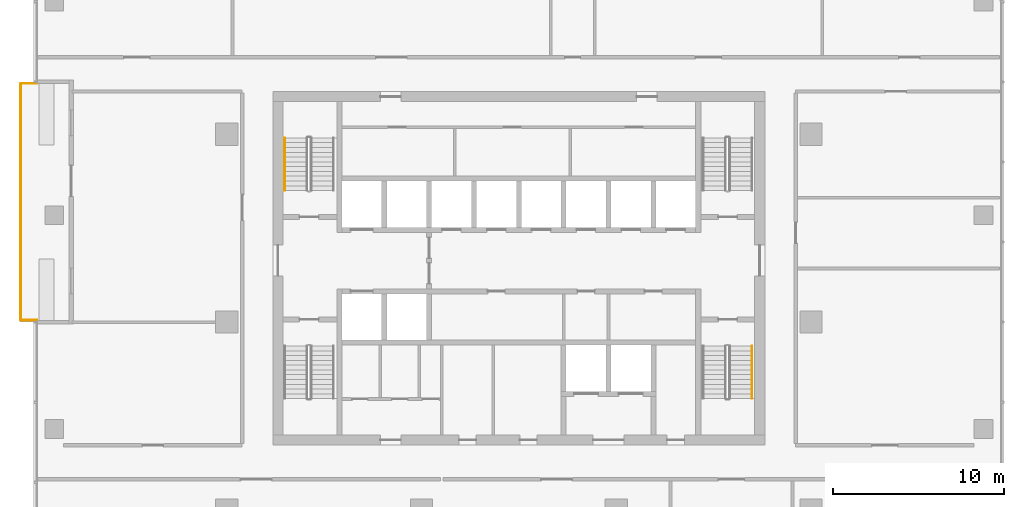
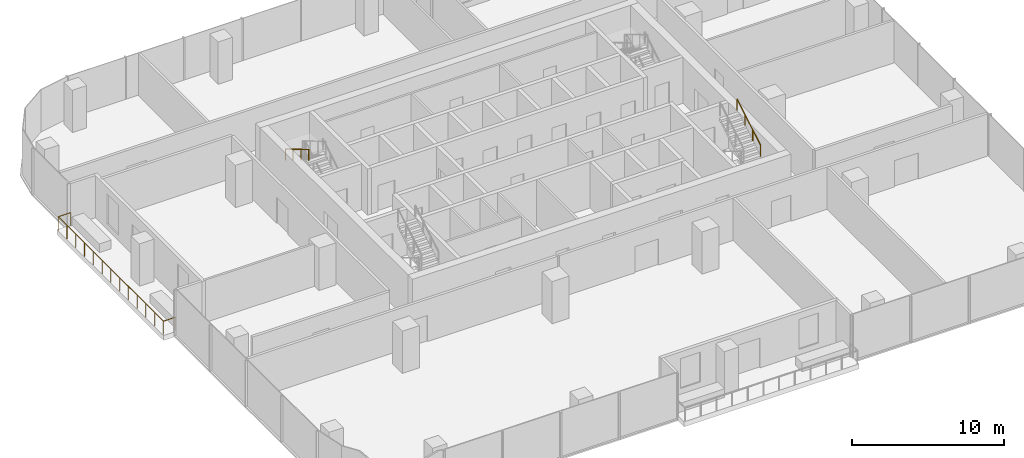
# One storey, part 12 of 14: 3 railings.
"""IFC4 building model written with IfcOpenShell, lengths in metres."""

import ifcopenshell
import ifcopenshell.guid

model = None  # the IFC model being written
_history = None  # IfcOwnerHistory: only IFC2X3 demands one
_inside = {}  # id of a spatial element -> (the spatial element, [elements in it])
_under = {}  # id of a project, library or spatial element -> (it, [spatial elements below it])
_declared = {}  # id of a project -> (the project, [libraries it declares])
_typed = {}  # id of a type object -> (the type object, [elements of that type])
_made_of = {}  # id of a material, layer set ... -> (it, [elements and type objects made of it])


def new_model(schema):
    """Start an empty IFC model of exactly this schema.

    Asked for "IFC4X3", IfcOpenShell would pick the latest addendum, in which some entities
    have other attributes; the version numbers below select the first issue.
    IFC2X3 requires an IfcOwnerHistory on every rooted entity: one is made here for all.
    """
    global model, _history
    if schema == "IFC4X3":
        model = ifcopenshell.file(schema_version=(4, 3, 0, 0))
    else:
        model = ifcopenshell.file(schema=schema)
    _inside.clear()
    _under.clear()
    _declared.clear()
    _typed.clear()
    _made_of.clear()
    _history = None
    if model.schema == "IFC2X3":
        org = make("IfcOrganization", Name="unknown")
        user = make(
            "IfcPersonAndOrganization",
            ThePerson=make("IfcPerson", FamilyName="unknown"),
            TheOrganization=org,
        )
        app = make(
            "IfcApplication",
            ApplicationDeveloper=org,
            Version="unknown",
            ApplicationFullName="unknown",
            ApplicationIdentifier="unknown",
        )
        _history = make(
            "IfcOwnerHistory",
            OwningUser=user,
            OwningApplication=app,
            ChangeAction="ADDED",
            CreationDate=0,
        )
    return model


def make(cls, **values):
    """One entity of the class cls with the attributes given. An attribute that is None is left unset."""
    return model.create_entity(
        cls, **{name: value for name, value in values.items() if value is not None}
    )


def rooted(cls, **values):
    """An entity with a GlobalId (a new one), such as an element, a storey or a relation."""
    return make(cls, GlobalId=ifcopenshell.guid.new(), OwnerHistory=_history, **values)


def si_unit(unit_type, name, prefix=None):
    """IfcSIUnit, for example si_unit("LENGTHUNIT", "METRE", prefix="MILLI")."""
    return make("IfcSIUnit", UnitType=unit_type, Prefix=prefix, Name=name)


def assignment(units):
    """IfcUnitAssignment: the units of a project."""
    return None if units is None else make("IfcUnitAssignment", Units=units)


def point(xyz):
    """IfcCartesianPoint."""
    return None if xyz is None else make("IfcCartesianPoint", Coordinates=xyz)


def direction(xyz):
    """IfcDirection."""
    return None if xyz is None else make("IfcDirection", DirectionRatios=xyz)


def frame(location, z_axis=None, x_axis=None):
    """IfcAxis2Placement3D, a coordinate frame: its origin and axes. An axis left out is left unset."""
    return make(
        "IfcAxis2Placement3D",
        Location=point(location),
        Axis=direction(z_axis),
        RefDirection=direction(x_axis),
    )


def frame_2d(location, x_axis=None):
    """IfcAxis2Placement2D, a coordinate frame in the plane: its origin and x axis."""
    return make(
        "IfcAxis2Placement2D", Location=point(location), RefDirection=direction(x_axis)
    )


def origin():
    """The frame at (0, 0, 0) with its axes left unset."""
    return frame((0.0, 0.0, 0.0))


def origin_2d():
    """The frame at (0, 0) in the plane with its x axis left unset."""
    return frame_2d((0.0, 0.0))


def place(relative_to, where):
    """IfcLocalPlacement: puts the frame where relative to a parent placement (None: the world)."""
    return make(
        "IfcLocalPlacement", PlacementRelTo=relative_to, RelativePlacement=where
    )


def context(
    kind, dimensions, precision=None, world=None, true_north=None, identifier=None
):
    """IfcGeometricRepresentationContext, for example the 3D "Model" context."""
    return make(
        "IfcGeometricRepresentationContext",
        ContextIdentifier=identifier,
        ContextType=kind,
        CoordinateSpaceDimension=dimensions,
        Precision=precision,
        WorldCoordinateSystem=world,
        TrueNorth=true_north,
    )


def subcontext(parent, identifier, kind, view, scale=None):
    """IfcGeometricRepresentationSubContext, for example "Body" below "Model"."""
    return make(
        "IfcGeometricRepresentationSubContext",
        ContextIdentifier=identifier,
        ContextType=kind,
        ParentContext=parent,
        TargetScale=scale,
        TargetView=view,
    )


def project(units=None, contexts=None):
    """IfcProject with its units and contexts."""
    return rooted(
        "IfcProject",
        Name="project",
        RepresentationContexts=contexts,
        UnitsInContext=assignment(units),
    )


def spatial(cls, under=None, at=None, **own):
    """A site, building, storey or space (cls), placed at a placement, below another one or the project."""
    s = rooted(cls, ObjectPlacement=at, **own)
    if under is not None:
        _under.setdefault(under.id(), (under, []))[1].append(s)
    return s


def profile(cls, at=None, kind="AREA", **sizes):
    """A parametric profile (cls). Its sizes go by their IFC names, for example OverallWidth=200.0."""
    return make(cls, ProfileType=kind, Position=at, **sizes)


def circle(**sizes):
    """IfcCircleProfileDef."""
    return profile("IfcCircleProfileDef", **sizes)


def extrude(swept, where, along, depth):
    """IfcExtrudedAreaSolid: the profile swept, set in the frame where, extruded along a direction by depth."""
    return make(
        "IfcExtrudedAreaSolid",
        SweptArea=swept,
        Position=where,
        ExtrudedDirection=direction(along),
        Depth=depth,
    )


def shape(context_of_items, identifier, shape_type, items):
    """IfcShapeRepresentation: the items that make up one representation, for example the "Body"."""
    return make(
        "IfcShapeRepresentation",
        ContextOfItems=context_of_items,
        RepresentationIdentifier=identifier,
        RepresentationType=shape_type,
        Items=items,
    )


def material(Name=None, Category=None):
    """IfcMaterial."""
    return make("IfcMaterial", Name=Name, Category=Category)


def made_of(thing, what):
    """Note that an element or type object is made of a material, layer set ...; save() writes the relation."""
    if what is not None:
        _made_of.setdefault(what.id(), (what, []))[1].append(thing)
    return thing


def type_object(cls, material=None, **own):
    """A type object (cls), such as IfcWallType, which elements share."""
    return made_of(rooted(cls, **own), material)


def element(
    cls,
    number,
    at=None,
    inside=None,
    cuts=None,
    type_object=None,
    material=None,
    context=None,
    identifier="Body",
    shape_type=None,
    held_by="IfcProductDefinitionShape",
    body=None,
    shapes=None,
    **own,
):
    """One element of the class cls, such as IfcWall. Its Tag is "e" and its number.

    at: its placement. inside: the storey or other place that contains it. cuts: it is an
    opening in that element (IfcRelVoidsElement). A single representation is given by context,
    identifier, shape_type and body (its items); several are given by shapes. held_by: the class
    of the entity that holds the representations. save() writes the other relations.
    """
    e = rooted(cls, Tag="e%d" % number, ObjectPlacement=at, **own)
    if body is not None:
        shapes = [shape(context, identifier, shape_type, body)]
    if shapes is not None:
        e.Representation = make(held_by, Representations=shapes)
    if inside is not None:
        _inside.setdefault(inside.id(), (inside, []))[1].append(e)
    if cuts is not None:
        rooted(
            "IfcRelVoidsElement", RelatingBuildingElement=cuts, RelatedOpeningElement=e
        )
    if type_object is not None:
        _typed.setdefault(type_object.id(), (type_object, []))[1].append(e)
    return made_of(e, material)


def aggregate(whole, parts):
    """IfcRelAggregates: a whole, such as a stair, and the parts it consists of."""
    return rooted("IfcRelAggregates", RelatingObject=whole, RelatedObjects=parts)


def save(model, path):
    """Write the relations noted so far, then the file.

    IfcRelAggregates (storeys below a building ...), IfcRelContainedInSpatialStructure (elements
    in a storey), IfcRelDefinesByType, IfcRelAssociatesMaterial and IfcRelDeclares: one each for
    every whole, place, type object, material and project.
    """
    for whole, parts in _under.values():
        aggregate(whole, parts)
    for where, things in _inside.values():
        rooted(
            "IfcRelContainedInSpatialStructure",
            RelatedElements=things,
            RelatingStructure=where,
        )
    for kind, things in _typed.values():
        rooted("IfcRelDefinesByType", RelatedObjects=things, RelatingType=kind)
    for what, things in _made_of.values():
        rooted("IfcRelAssociatesMaterial", RelatedObjects=things, RelatingMaterial=what)
    for by, libraries in _declared.values():
        rooted("IfcRelDeclares", RelatingContext=by, RelatedDefinitions=libraries)
    model.write(path)


model = new_model("IFC4")

# Units and contexts
model_context = context("Model", 3, precision=1e-05, world=origin(), true_north=direction((0.0, 1.0)))
body_context = subcontext(model_context, "Body", "Model", "MODEL_VIEW")
ifc_project = project(units=[si_unit("LENGTHUNIT", "METRE"), si_unit("AREAUNIT", "SQUARE_METRE"), si_unit("VOLUMEUNIT", "CUBIC_METRE"), si_unit("PLANEANGLEUNIT", "RADIAN"), si_unit("MASSUNIT", "GRAM", prefix="KILO")], contexts=[model_context])

# Site, building, storey
site_placement = place(None, origin())
site = spatial("IfcSite", under=ifc_project, at=site_placement, CompositionType="ELEMENT")
building_placement = place(site_placement, origin())
building = spatial("IfcBuilding", under=site, at=building_placement, Name="Mopane Tessera Tower", CompositionType="ELEMENT")
storey_placement = place(building_placement, frame((0.0, 0.0, 255.0)))
storey = spatial("IfcBuildingStorey", under=building, at=storey_placement, Name="L55", CompositionType="ELEMENT", Elevation=255.0)

# Railings
ifc_material_1 = material(Name="Powder-coated steel balustrade", Category="steel")
railing_type_1 = type_object("IfcRailingType", Name="Escape stair handrail 900 mm", PredefinedType="HANDRAIL", material=ifc_material_1)
railing_1_placement = place(storey_placement, frame((-13.699951171875, 10.780029296875, 2.166748046875)))
element("IfcRailing", 1, at=railing_1_placement, inside=storey, type_object=railing_type_1, Name="L55 ST2 stair handrail 2", PredefinedType="HANDRAIL", context=body_context, shape_type="SweptSolid", body=[
    extrude(circle(Radius=0.02392578125, at=origin_2d()), frame((0.0, 0.0, 0.8759765625), z_axis=(0.0, -0.859308565015, 0.511457515432), x_axis=(1.0, 0.0, 0.0)), (0.0, 0.0, 1.0), 3.58447265625),
    extrude(circle(Radius=0.02099609375, at=origin_2d()), origin(), (0.0, 0.0, 1.0), 0.851806640625),
    extrude(circle(Radius=0.02099609375, at=origin_2d()), frame((0.0, -1.026611328125, 0.611083984375)), (0.0, 0.0, 1.0), 0.851806640625),
    extrude(circle(Radius=0.02099609375, at=origin_2d()), frame((0.0, -2.053466796875, 1.22216796875)), (0.0, 0.0, 1.0), 0.851806640625),
    extrude(circle(Radius=0.02099609375, at=origin_2d()), frame((0.0, -3.080078125, 1.833251953125)), (0.0, 0.0, 1.0), 0.851806640625),
])
railing_2_placement = place(storey_placement, frame((13.64990234375, -4.47998046875, 2.166748046875)))
element("IfcRailing", 2, at=railing_2_placement, inside=storey, type_object=railing_type_1, Name="L55 ST3 stair handrail 2", PredefinedType="HANDRAIL", context=body_context, shape_type="SweptSolid", body=[
    extrude(circle(Radius=0.02392578125, at=origin_2d()), frame((0.0, 0.0, 0.8759765625), z_axis=(0.0, 0.859308565015, 0.511457515432), x_axis=(-1.0, 0.0, 0.0)), (0.0, 0.0, 1.0), 3.58447265625),
    extrude(circle(Radius=0.02099609375, at=origin_2d()), origin(), (0.0, 0.0, 1.0), 0.851806640625),
    extrude(circle(Radius=0.02099609375, at=origin_2d()), frame((0.0, 1.026611328125, 0.611083984375)), (0.0, 0.0, 1.0), 0.851806640625),
    extrude(circle(Radius=0.02099609375, at=origin_2d()), frame((0.0, 2.053466796875, 1.22216796875)), (0.0, 0.0, 1.0), 0.851806640625),
    extrude(circle(Radius=0.02099609375, at=origin_2d()), frame((0.0, 3.080078125, 1.833251953125)), (0.0, 0.0, 1.0), 0.851806640625),
])
ifc_material_2 = material(Name="Stainless steel S316", Category="steel")
railing_type_2 = type_object("IfcRailingType", Name="Terrace guard 1100", PredefinedType="GUARDRAIL", material=ifc_material_2)
railing_3_placement = place(storey_placement, frame((-28.199951171875, 13.96240234375, 0.0)))
element("IfcRailing", 3, at=railing_3_placement, inside=storey, type_object=railing_type_2, Name="e:nw:L55:N3:guard", PredefinedType="GUARDRAIL", context=body_context, shape_type="SweptSolid", body=[
    extrude(circle(Radius=0.02392578125, at=origin_2d()), frame((0.0, 0.0, 1.076171875), z_axis=(-1.0, 0.0, 0.0), x_axis=(0.0, -1.0, 0.0)), (0.0, 0.0, 1.0), 0.949951171875),
    extrude(circle(Radius=0.02392578125, at=origin_2d()), frame((-0.949951171875, 0.0, 1.076171875), z_axis=(0.0, -1.0, 0.0), x_axis=(1.0, 0.0, 0.0)), (0.0, 0.0, 1.0), 13.8623046875),
    extrude(circle(Radius=0.02392578125, at=origin_2d()), frame((-0.949951171875, -13.8623046875, 1.076171875), z_axis=(1.0, 0.0, 0.0), x_axis=(0.0, 1.0, 0.0)), (0.0, 0.0, 1.0), 0.949951171875),
    extrude(circle(Radius=0.02099609375, at=origin_2d()), origin(), (0.0, 0.0, 1.0), 1.052001953125),
    extrude(circle(Radius=0.02099609375, at=origin_2d()), frame((-0.949951171875, 0.0, 0.0)), (0.0, 0.0, 1.0), 1.052001953125),
    extrude(circle(Radius=0.02099609375, at=origin_2d()), frame((-0.949951171875, -1.1552734375, 0.0)), (0.0, 0.0, 1.0), 1.052001953125),
    extrude(circle(Radius=0.02099609375, at=origin_2d()), frame((-0.949951171875, -2.310302734375, 0.0)), (0.0, 0.0, 1.0), 1.052001953125),
    extrude(circle(Radius=0.02099609375, at=origin_2d()), frame((-0.949951171875, -3.465576171875, 0.0)), (0.0, 0.0, 1.0), 1.052001953125),
    extrude(circle(Radius=0.02099609375, at=origin_2d()), frame((-0.949951171875, -4.620849609375, 0.0)), (0.0, 0.0, 1.0), 1.052001953125),
    extrude(circle(Radius=0.02099609375, at=origin_2d()), frame((-0.949951171875, -5.77587890625, 0.0)), (0.0, 0.0, 1.0), 1.052001953125),
    extrude(circle(Radius=0.02099609375, at=origin_2d()), frame((-0.949951171875, -6.93115234375, 0.0)), (0.0, 0.0, 1.0), 1.052001953125),
    extrude(circle(Radius=0.02099609375, at=origin_2d()), frame((-0.949951171875, -8.08642578125, 0.0)), (0.0, 0.0, 1.0), 1.052001953125),
    extrude(circle(Radius=0.02099609375, at=origin_2d()), frame((-0.949951171875, -9.241455078125, 0.0)), (0.0, 0.0, 1.0), 1.052001953125),
    extrude(circle(Radius=0.02099609375, at=origin_2d()), frame((-0.949951171875, -10.396728515625, 0.0)), (0.0, 0.0, 1.0), 1.052001953125),
    extrude(circle(Radius=0.02099609375, at=origin_2d()), frame((-0.949951171875, -11.552001953125, 0.0)), (0.0, 0.0, 1.0), 1.052001953125),
    extrude(circle(Radius=0.02099609375, at=origin_2d()), frame((-0.949951171875, -12.70703125, 0.0)), (0.0, 0.0, 1.0), 1.052001953125),
    extrude(circle(Radius=0.02099609375, at=origin_2d()), frame((-0.949951171875, -13.8623046875, 0.0)), (0.0, 0.0, 1.0), 1.052001953125),
    extrude(circle(Radius=0.02099609375, at=origin_2d()), frame((0.0, -13.8623046875, 0.0)), (0.0, 0.0, 1.0), 1.052001953125),
])

save(model, "model.ifc")
